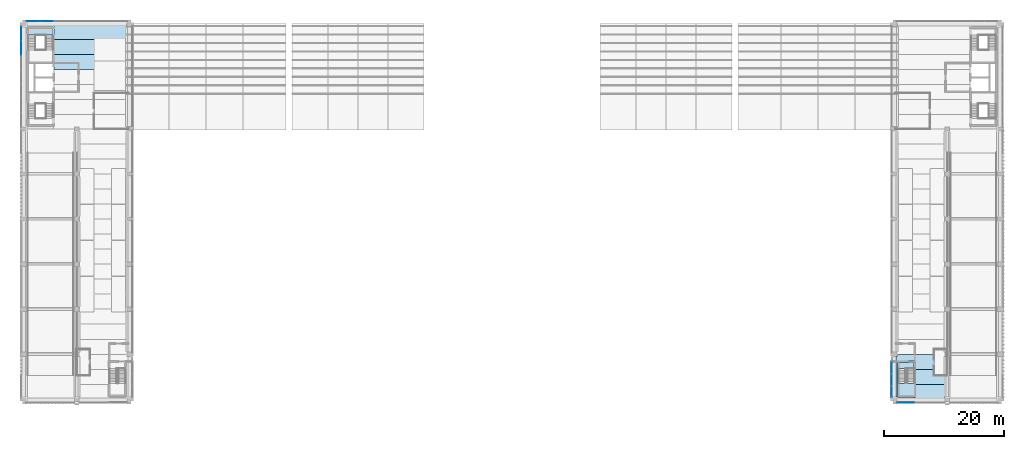
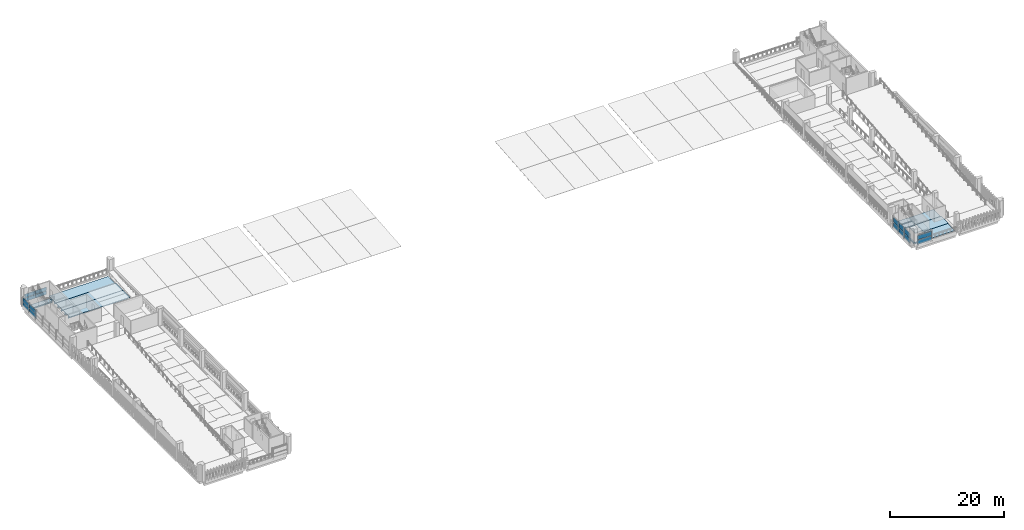
# One storey, part 10 of 24: 16 plates, 10 slabs, 5 elements without a shape of their own.
"""IFC4 building model written with IfcOpenShell, lengths in metres."""

import ifcopenshell
import ifcopenshell.guid

model = None  # the IFC model being written
_history = None  # IfcOwnerHistory: only IFC2X3 demands one
_inside = {}  # id of a spatial element -> (the spatial element, [elements in it])
_under = {}  # id of a project, library or spatial element -> (it, [spatial elements below it])
_declared = {}  # id of a project -> (the project, [libraries it declares])
_typed = {}  # id of a type object -> (the type object, [elements of that type])
_made_of = {}  # id of a material, layer set ... -> (it, [elements and type objects made of it])


def new_model(schema):
    """Start an empty IFC model of exactly this schema.

    Asked for "IFC4X3", IfcOpenShell would pick the latest addendum, in which some entities
    have other attributes; the version numbers below select the first issue.
    IFC2X3 requires an IfcOwnerHistory on every rooted entity: one is made here for all.
    """
    global model, _history
    if schema == "IFC4X3":
        model = ifcopenshell.file(schema_version=(4, 3, 0, 0))
    else:
        model = ifcopenshell.file(schema=schema)
    _inside.clear()
    _under.clear()
    _declared.clear()
    _typed.clear()
    _made_of.clear()
    _history = None
    if model.schema == "IFC2X3":
        org = make("IfcOrganization", Name="unknown")
        user = make(
            "IfcPersonAndOrganization",
            ThePerson=make("IfcPerson", FamilyName="unknown"),
            TheOrganization=org,
        )
        app = make(
            "IfcApplication",
            ApplicationDeveloper=org,
            Version="unknown",
            ApplicationFullName="unknown",
            ApplicationIdentifier="unknown",
        )
        _history = make(
            "IfcOwnerHistory",
            OwningUser=user,
            OwningApplication=app,
            ChangeAction="ADDED",
            CreationDate=0,
        )
    return model


def make(cls, **values):
    """One entity of the class cls with the attributes given. An attribute that is None is left unset."""
    return model.create_entity(
        cls, **{name: value for name, value in values.items() if value is not None}
    )


def rooted(cls, **values):
    """An entity with a GlobalId (a new one), such as an element, a storey or a relation."""
    return make(cls, GlobalId=ifcopenshell.guid.new(), OwnerHistory=_history, **values)


def si_unit(unit_type, name, prefix=None):
    """IfcSIUnit, for example si_unit("LENGTHUNIT", "METRE", prefix="MILLI")."""
    return make("IfcSIUnit", UnitType=unit_type, Prefix=prefix, Name=name)


def assignment(units):
    """IfcUnitAssignment: the units of a project."""
    return None if units is None else make("IfcUnitAssignment", Units=units)


def point(xyz):
    """IfcCartesianPoint."""
    return None if xyz is None else make("IfcCartesianPoint", Coordinates=xyz)


def direction(xyz):
    """IfcDirection."""
    return None if xyz is None else make("IfcDirection", DirectionRatios=xyz)


def frame(location, z_axis=None, x_axis=None):
    """IfcAxis2Placement3D, a coordinate frame: its origin and axes. An axis left out is left unset."""
    return make(
        "IfcAxis2Placement3D",
        Location=point(location),
        Axis=direction(z_axis),
        RefDirection=direction(x_axis),
    )


def frame_2d(location, x_axis=None):
    """IfcAxis2Placement2D, a coordinate frame in the plane: its origin and x axis."""
    return make(
        "IfcAxis2Placement2D", Location=point(location), RefDirection=direction(x_axis)
    )


def origin():
    """The frame at (0, 0, 0) with its axes left unset."""
    return frame((0.0, 0.0, 0.0))


def origin_2d():
    """The frame at (0, 0) in the plane with its x axis left unset."""
    return frame_2d((0.0, 0.0))


def place(relative_to, where):
    """IfcLocalPlacement: puts the frame where relative to a parent placement (None: the world)."""
    return make(
        "IfcLocalPlacement", PlacementRelTo=relative_to, RelativePlacement=where
    )


def context(
    kind, dimensions, precision=None, world=None, true_north=None, identifier=None
):
    """IfcGeometricRepresentationContext, for example the 3D "Model" context."""
    return make(
        "IfcGeometricRepresentationContext",
        ContextIdentifier=identifier,
        ContextType=kind,
        CoordinateSpaceDimension=dimensions,
        Precision=precision,
        WorldCoordinateSystem=world,
        TrueNorth=true_north,
    )


def subcontext(parent, identifier, kind, view, scale=None):
    """IfcGeometricRepresentationSubContext, for example "Body" below "Model"."""
    return make(
        "IfcGeometricRepresentationSubContext",
        ContextIdentifier=identifier,
        ContextType=kind,
        ParentContext=parent,
        TargetScale=scale,
        TargetView=view,
    )


def project(units=None, contexts=None):
    """IfcProject with its units and contexts."""
    return rooted(
        "IfcProject",
        Name="project",
        RepresentationContexts=contexts,
        UnitsInContext=assignment(units),
    )


def spatial(cls, under=None, at=None, **own):
    """A site, building, storey or space (cls), placed at a placement, below another one or the project."""
    s = rooted(cls, ObjectPlacement=at, **own)
    if under is not None:
        _under.setdefault(under.id(), (under, []))[1].append(s)
    return s


def polyline(points):
    """IfcPolyline through the points."""
    return make("IfcPolyline", Points=[point(p) for p in points])


def profile(cls, at=None, kind="AREA", **sizes):
    """A parametric profile (cls). Its sizes go by their IFC names, for example OverallWidth=200.0."""
    return make(cls, ProfileType=kind, Position=at, **sizes)


def rectangle(**sizes):
    """IfcRectangleProfileDef."""
    return profile("IfcRectangleProfileDef", **sizes)


def outline(outer, holes=None, kind="AREA"):
    """IfcArbitraryClosedProfileDef: a profile drawn as a closed curve; with holes, ...WithVoids."""
    if holes is None:
        return make("IfcArbitraryClosedProfileDef", ProfileType=kind, OuterCurve=outer)
    return make(
        "IfcArbitraryProfileDefWithVoids",
        ProfileType=kind,
        OuterCurve=outer,
        InnerCurves=holes,
    )


def extrude(swept, where, along, depth):
    """IfcExtrudedAreaSolid: the profile swept, set in the frame where, extruded along a direction by depth."""
    return make(
        "IfcExtrudedAreaSolid",
        SweptArea=swept,
        Position=where,
        ExtrudedDirection=direction(along),
        Depth=depth,
    )


def shape(context_of_items, identifier, shape_type, items):
    """IfcShapeRepresentation: the items that make up one representation, for example the "Body"."""
    return make(
        "IfcShapeRepresentation",
        ContextOfItems=context_of_items,
        RepresentationIdentifier=identifier,
        RepresentationType=shape_type,
        Items=items,
    )


def material(Name=None, Category=None):
    """IfcMaterial."""
    return make("IfcMaterial", Name=Name, Category=Category)


def layer(
    of_material, thickness, ventilated=None, Name=None, Category=None, Priority=None
):
    """IfcMaterialLayer: one layer of a wall or slab, of a material (None: an air gap)."""
    return make(
        "IfcMaterialLayer",
        Material=of_material,
        LayerThickness=thickness,
        IsVentilated=ventilated,
        Name=Name,
        Category=Category,
        Priority=Priority,
    )


def layer_set(layers, Name=None):
    """IfcMaterialLayerSet."""
    return make("IfcMaterialLayerSet", MaterialLayers=layers, LayerSetName=Name)


def material_profile(
    of_material, cross_section, Name=None, Category=None, Priority=None
):
    """IfcMaterialProfile: a cross section and its material."""
    return make(
        "IfcMaterialProfile",
        Name=Name,
        Material=of_material,
        Profile=cross_section,
        Priority=Priority,
        Category=Category,
    )


def profile_set(profiles, Name=None, composite=None):
    """IfcMaterialProfileSet."""
    return make(
        "IfcMaterialProfileSet",
        Name=Name,
        MaterialProfiles=profiles,
        CompositeProfile=composite,
    )


def made_of(thing, what):
    """Note that an element or type object is made of a material, layer set ...; save() writes the relation."""
    if what is not None:
        _made_of.setdefault(what.id(), (what, []))[1].append(thing)
    return thing


def type_object(cls, material=None, **own):
    """A type object (cls), such as IfcWallType, which elements share."""
    return made_of(rooted(cls, **own), material)


def element(
    cls,
    number,
    at=None,
    inside=None,
    cuts=None,
    type_object=None,
    material=None,
    context=None,
    identifier="Body",
    shape_type=None,
    held_by="IfcProductDefinitionShape",
    body=None,
    shapes=None,
    **own,
):
    """One element of the class cls, such as IfcWall. Its Tag is "e" and its number.

    at: its placement. inside: the storey or other place that contains it. cuts: it is an
    opening in that element (IfcRelVoidsElement). A single representation is given by context,
    identifier, shape_type and body (its items); several are given by shapes. held_by: the class
    of the entity that holds the representations. save() writes the other relations.
    """
    e = rooted(cls, Tag="e%d" % number, ObjectPlacement=at, **own)
    if body is not None:
        shapes = [shape(context, identifier, shape_type, body)]
    if shapes is not None:
        e.Representation = make(held_by, Representations=shapes)
    if inside is not None:
        _inside.setdefault(inside.id(), (inside, []))[1].append(e)
    if cuts is not None:
        rooted(
            "IfcRelVoidsElement", RelatingBuildingElement=cuts, RelatedOpeningElement=e
        )
    if type_object is not None:
        _typed.setdefault(type_object.id(), (type_object, []))[1].append(e)
    return made_of(e, material)


def aggregate(whole, parts):
    """IfcRelAggregates: a whole, such as a stair, and the parts it consists of."""
    return rooted("IfcRelAggregates", RelatingObject=whole, RelatedObjects=parts)


def save(model, path):
    """Write the relations noted so far, then the file.

    IfcRelAggregates (storeys below a building ...), IfcRelContainedInSpatialStructure (elements
    in a storey), IfcRelDefinesByType, IfcRelAssociatesMaterial and IfcRelDeclares: one each for
    every whole, place, type object, material and project.
    """
    for whole, parts in _under.values():
        aggregate(whole, parts)
    for where, things in _inside.values():
        rooted(
            "IfcRelContainedInSpatialStructure",
            RelatedElements=things,
            RelatingStructure=where,
        )
    for kind, things in _typed.values():
        rooted("IfcRelDefinesByType", RelatedObjects=things, RelatingType=kind)
    for what, things in _made_of.values():
        rooted("IfcRelAssociatesMaterial", RelatedObjects=things, RelatingMaterial=what)
    for by, libraries in _declared.values():
        rooted("IfcRelDeclares", RelatingContext=by, RelatedDefinitions=libraries)
    model.write(path)


model = new_model("IFC4")

# Units and contexts
model_context = context("Model", 3, precision=1e-05, world=origin(), true_north=direction((0.0, 1.0)))
body_context = subcontext(model_context, "Body", "Model", "MODEL_VIEW")
ifc_project = project(units=[si_unit("LENGTHUNIT", "METRE"), si_unit("AREAUNIT", "SQUARE_METRE"), si_unit("VOLUMEUNIT", "CUBIC_METRE"), si_unit("PLANEANGLEUNIT", "RADIAN"), si_unit("MASSUNIT", "GRAM", prefix="KILO")], contexts=[model_context])

# Site, building, storey
site_placement = place(None, origin())
site = spatial("IfcSite", under=ifc_project, at=site_placement, CompositionType="ELEMENT")
building_placement = place(site_placement, origin())
building = spatial("IfcBuilding", under=site, at=building_placement, Name="Cour d'Honneur Mobility Palace", CompositionType="ELEMENT")
storey_placement = place(building_placement, frame((0.0, 0.0, 26.699951171875)))
storey = spatial("IfcBuildingStorey", under=building, at=storey_placement, Name="L07", CompositionType="ELEMENT", Elevation=26.699951171875)

# Slabs
ifc_material_1 = material(Name="Concrete C50", Category="concrete")
ifc_layer_1 = layer(ifc_material_1, 0.25)
ifc_layer_set_1 = layer_set([ifc_layer_1], Name="Concrete C50")
slab_type_1 = type_object("IfcSlabType", Name="Cast-in-place Slab 250", PredefinedType="FLOOR", material=ifc_layer_set_1)
slab_1_placement = place(storey_placement, frame((0.0, 0.0, -0.25)))
element("IfcSlab", 1, at=slab_1_placement, inside=storey, type_object=slab_type_1, Name="Cast-in-place slab S1 L07 core", PredefinedType="FLOOR", context=body_context, shape_type="SweptSolid", body=[
    extrude(outline(polyline([(4.675048828125, 61.699951171875), (4.675048828125, 60.625), (0.699951171875, 60.625), (0.699951171875, 61.699951171875), (4.675048828125, 61.699951171875)])), origin(), (0.0, 0.0, 1.0), 0.25),
])
slab_2_placement = place(storey_placement, frame((0.0, 0.0, -0.25)))
element("IfcSlab", 2, at=slab_2_placement, inside=storey, type_object=slab_type_1, Name="Cast-in-place slab S1 L07 stair strip", PredefinedType="FLOOR", context=body_context, shape_type="SweptSolid", body=[
    extrude(outline(polyline([(145.300048828125, 0.39990234375), (145.10009765625, 0.39990234375), (145.10009765625, 7.10009765625), (145.300048828125, 7.10009765625), (145.300048828125, 7.5), (148.199951171875, 7.5), (148.199951171875, 6.425048828125), (145.35009765625, 6.425048828125), (145.35009765625, 0.449951171875), (148.199951171875, 0.449951171875), (148.199951171875, 0.22509765625), (145.300048828125, 0.22509765625), (145.300048828125, 0.39990234375)])), origin(), (0.0, 0.0, 1.0), 0.25),
])
slab_3_placement = place(storey_placement, frame((0.0, 0.0, -0.25)))
element("IfcSlab", 3, at=slab_3_placement, inside=storey, type_object=slab_type_1, Name="Cast-in-place slab S1 L07 stair strip", PredefinedType="FLOOR", context=body_context, shape_type="SweptSolid", body=[
    extrude(outline(polyline([(148.074951171875, 6.175048828125), (148.074951171875, 5.10009765625), (145.60009765625, 5.10009765625), (145.60009765625, 6.175048828125), (148.074951171875, 6.175048828125)])), origin(), (0.0, 0.0, 1.0), 0.25),
])

# Curtain wall, plates
ifc_material_2 = material(Name="Aluminium and glass", Category="aluminium")
ifc_layer_2 = layer(ifc_material_2, 0.10009765625)
ifc_layer_set_2 = layer_set([ifc_layer_2], Name="Aluminium and glass")
curtain_wall_type = type_object("IfcCurtainWallType", Name="Curtain wall run", PredefinedType="NOTDEFINED", material=ifc_layer_set_2)
curtain_wall_1_placement = place(storey_placement, origin())
curtain_wall_1 = element("IfcCurtainWall", 4, at=curtain_wall_1_placement, inside=storey, type_object=curtain_wall_type, Name="Curtain wall CW-108", PredefinedType="NOTDEFINED")
ifc_material_3 = material(Name="Double glazing", Category="glass")
ifc_layer_3 = layer(ifc_material_3, 0.028076171875)
ifc_layer_set_3 = layer_set([ifc_layer_3], Name="Double glazing")
plate_type = type_object("IfcPlateType", Name="Curtain wall panel", PredefinedType="CURTAIN_PANEL", material=ifc_layer_set_3)
plate_1_placement = place(storey_placement, frame((3.659912109375, 62.949951171875, 0.06005859375), z_axis=(0.0, 0.0, 1.0), x_axis=(-1.0, 0.0, 0.0)))
plate_1 = element("IfcPlate", 5, at=plate_1_placement, type_object=plate_type, Name="CW-108 panel 1.1", PredefinedType="CURTAIN_PANEL", context=body_context, shape_type="SweptSolid", body=[
    extrude(rectangle(XDim=2.159912109375, YDim=0.028076171875, at=origin_2d()), origin(), (0.0, 0.0, 1.0), 0.760009765625),
])
plate_2_placement = place(storey_placement, frame((3.659912109375, 62.949951171875, 0.8798828125), z_axis=(0.0, 0.0, 1.0), x_axis=(-1.0, 0.0, 0.0)))
plate_2 = element("IfcPlate", 6, at=plate_2_placement, type_object=plate_type, Name="CW-108 panel 1.2", PredefinedType="CURTAIN_PANEL", context=body_context, shape_type="SweptSolid", body=[
    extrude(rectangle(XDim=2.159912109375, YDim=0.028076171875, at=origin_2d()), origin(), (0.0, 0.0, 1.0), 0.760009765625),
])
plate_3_placement = place(storey_placement, frame((1.43994140625, 62.949951171875, 0.06005859375), z_axis=(0.0, 0.0, 1.0), x_axis=(-1.0, 0.0, 0.0)))
plate_3 = element("IfcPlate", 7, at=plate_3_placement, type_object=plate_type, Name="CW-108 panel 2.1", PredefinedType="CURTAIN_PANEL", context=body_context, shape_type="SweptSolid", body=[
    extrude(rectangle(XDim=2.159912109375, YDim=0.028076171875, at=origin_2d()), origin(), (0.0, 0.0, 1.0), 0.760009765625),
])
plate_4_placement = place(storey_placement, frame((1.43994140625, 62.949951171875, 0.8798828125), z_axis=(0.0, 0.0, 1.0), x_axis=(-1.0, 0.0, 0.0)))
plate_4 = element("IfcPlate", 8, at=plate_4_placement, type_object=plate_type, Name="CW-108 panel 2.2", PredefinedType="CURTAIN_PANEL", context=body_context, shape_type="SweptSolid", body=[
    extrude(rectangle(XDim=2.159912109375, YDim=0.028076171875, at=origin_2d()), origin(), (0.0, 0.0, 1.0), 0.760009765625),
])
aggregate(curtain_wall_1, [plate_1, plate_2, plate_3, plate_4])

curtain_wall_2_placement = place(storey_placement, origin())
curtain_wall_2 = element("IfcCurtainWall", 9, at=curtain_wall_2_placement, inside=storey, type_object=curtain_wall_type, Name="Curtain wall CW-109", PredefinedType="NOTDEFINED")
plate_5_placement = place(storey_placement, frame((-0.550048828125, 60.885009765625, 0.06005859375), z_axis=(0.0, 0.0, 1.0), x_axis=(0.0, -1.0, 0.0)))
plate_5 = element("IfcPlate", 10, at=plate_5_placement, type_object=plate_type, Name="CW-109 panel 1.1", PredefinedType="CURTAIN_PANEL", context=body_context, shape_type="SweptSolid", body=[
    extrude(rectangle(XDim=2.31005859375, YDim=0.028076171875, at=origin_2d()), origin(), (0.0, 0.0, 1.0), 0.860107421875),
])
plate_6_placement = place(storey_placement, frame((-0.550048828125, 60.885009765625, 0.97998046875), z_axis=(0.0, 0.0, 1.0), x_axis=(0.0, -1.0, 0.0)))
plate_6 = element("IfcPlate", 11, at=plate_6_placement, type_object=plate_type, Name="CW-109 panel 1.2", PredefinedType="CURTAIN_PANEL", context=body_context, shape_type="SweptSolid", body=[
    extrude(rectangle(XDim=2.31005859375, YDim=0.028076171875, at=origin_2d()), origin(), (0.0, 0.0, 1.0), 0.860107421875),
])
plate_7_placement = place(storey_placement, frame((-0.550048828125, 58.5, 0.06005859375), z_axis=(0.0, 0.0, 1.0), x_axis=(0.0, -1.0, 0.0)))
plate_7 = element("IfcPlate", 12, at=plate_7_placement, type_object=plate_type, Name="CW-109 panel 2.1", PredefinedType="CURTAIN_PANEL", context=body_context, shape_type="SweptSolid", body=[
    extrude(rectangle(XDim=2.340087890625, YDim=0.028076171875, at=origin_2d()), origin(), (0.0, 0.0, 1.0), 0.860107421875),
])
plate_8_placement = place(storey_placement, frame((-0.550048828125, 58.5, 0.97998046875), z_axis=(0.0, 0.0, 1.0), x_axis=(0.0, -1.0, 0.0)))
plate_8 = element("IfcPlate", 13, at=plate_8_placement, type_object=plate_type, Name="CW-109 panel 2.2", PredefinedType="CURTAIN_PANEL", context=body_context, shape_type="SweptSolid", body=[
    extrude(rectangle(XDim=2.340087890625, YDim=0.028076171875, at=origin_2d()), origin(), (0.0, 0.0, 1.0), 0.860107421875),
])
aggregate(curtain_wall_2, [plate_5, plate_6, plate_7, plate_8])

curtain_wall_3_placement = place(storey_placement, origin())
curtain_wall_3 = element("IfcCurtainWall", 14, at=curtain_wall_3_placement, inside=storey, type_object=curtain_wall_type, Name="Curtain wall CW-147", PredefinedType="NOTDEFINED")
plate_9_placement = place(storey_placement, frame((146.699951171875, -0.550048828125, 0.06005859375), z_axis=(0.0, 0.0, 1.0), x_axis=(1.0, 0.0, 0.0)))
plate_9 = element("IfcPlate", 15, at=plate_9_placement, type_object=plate_type, Name="CW-147 panel 1.1", PredefinedType="CURTAIN_PANEL", context=body_context, shape_type="SweptSolid", body=[
    extrude(rectangle(XDim=2.8798828125, YDim=0.028076171875, at=origin_2d()), origin(), (0.0, 0.0, 1.0), 0.9599609375),
])
plate_10_placement = place(storey_placement, frame((146.699951171875, -0.550048828125, 1.080078125), z_axis=(0.0, 0.0, 1.0), x_axis=(1.0, 0.0, 0.0)))
plate_10 = element("IfcPlate", 16, at=plate_10_placement, type_object=plate_type, Name="CW-147 panel 1.2", PredefinedType="CURTAIN_PANEL", context=body_context, shape_type="SweptSolid", body=[
    extrude(rectangle(XDim=2.8798828125, YDim=0.028076171875, at=origin_2d()), origin(), (0.0, 0.0, 1.0), 0.9599609375),
])
aggregate(curtain_wall_3, [plate_9, plate_10])

curtain_wall_4_placement = place(storey_placement, origin())
curtain_wall_4 = element("IfcCurtainWall", 17, at=curtain_wall_4_placement, inside=storey, type_object=curtain_wall_type, Name="Curtain wall CW-148", PredefinedType="NOTDEFINED")
plate_11_placement = place(storey_placement, frame((144.35009765625, 5.284912109375, 0.06005859375), z_axis=(0.0, 0.0, 1.0), x_axis=(0.0, -1.0, 0.0)))
plate_11 = element("IfcPlate", 18, at=plate_11_placement, type_object=plate_type, Name="CW-148 panel 1.1", PredefinedType="CURTAIN_PANEL", context=body_context, shape_type="SweptSolid", body=[
    extrude(rectangle(XDim=1.909912109375, YDim=0.028076171875, at=origin_2d()), origin(), (0.0, 0.0, 1.0), 1.06005859375),
])
plate_12_placement = place(storey_placement, frame((144.35009765625, 5.284912109375, 1.179931640625), z_axis=(0.0, 0.0, 1.0), x_axis=(0.0, -1.0, 0.0)))
plate_12 = element("IfcPlate", 19, at=plate_12_placement, type_object=plate_type, Name="CW-148 panel 1.2", PredefinedType="CURTAIN_PANEL", context=body_context, shape_type="SweptSolid", body=[
    extrude(rectangle(XDim=1.909912109375, YDim=0.028076171875, at=origin_2d()), origin(), (0.0, 0.0, 1.0), 1.06005859375),
])
plate_13_placement = place(storey_placement, frame((144.35009765625, 3.300048828125, 0.06005859375), z_axis=(0.0, 0.0, 1.0), x_axis=(0.0, -1.0, 0.0)))
plate_13 = element("IfcPlate", 20, at=plate_13_placement, type_object=plate_type, Name="CW-148 panel 2.1", PredefinedType="CURTAIN_PANEL", context=body_context, shape_type="SweptSolid", body=[
    extrude(rectangle(XDim=1.93994140625, YDim=0.028076171875, at=origin_2d()), origin(), (0.0, 0.0, 1.0), 1.06005859375),
])
plate_14_placement = place(storey_placement, frame((144.35009765625, 3.300048828125, 1.179931640625), z_axis=(0.0, 0.0, 1.0), x_axis=(0.0, -1.0, 0.0)))
plate_14 = element("IfcPlate", 21, at=plate_14_placement, type_object=plate_type, Name="CW-148 panel 2.2", PredefinedType="CURTAIN_PANEL", context=body_context, shape_type="SweptSolid", body=[
    extrude(rectangle(XDim=1.93994140625, YDim=0.028076171875, at=origin_2d()), origin(), (0.0, 0.0, 1.0), 1.06005859375),
])
plate_15_placement = place(storey_placement, frame((144.35009765625, 1.31494140625, 0.06005859375), z_axis=(0.0, 0.0, 1.0), x_axis=(0.0, -1.0, 0.0)))
plate_15 = element("IfcPlate", 22, at=plate_15_placement, type_object=plate_type, Name="CW-148 panel 3.1", PredefinedType="CURTAIN_PANEL", context=body_context, shape_type="SweptSolid", body=[
    extrude(rectangle(XDim=1.909912109375, YDim=0.028076171875, at=origin_2d()), origin(), (0.0, 0.0, 1.0), 1.06005859375),
])
plate_16_placement = place(storey_placement, frame((144.35009765625, 1.31494140625, 1.179931640625), z_axis=(0.0, 0.0, 1.0), x_axis=(0.0, -1.0, 0.0)))
plate_16 = element("IfcPlate", 23, at=plate_16_placement, type_object=plate_type, Name="CW-148 panel 3.2", PredefinedType="CURTAIN_PANEL", context=body_context, shape_type="SweptSolid", body=[
    extrude(rectangle(XDim=1.909912109375, YDim=0.028076171875, at=origin_2d()), origin(), (0.0, 0.0, 1.0), 1.06005859375),
])
aggregate(curtain_wall_4, [plate_11, plate_12, plate_13, plate_14, plate_15, plate_16])

# Slabs
ifc_material_4 = material(Name="Concrete C45", Category="concrete")
ifc_material_profile_1 = material_profile(ifc_material_4, outline(polyline([(-1.2451171875, 0.0), (1.2451171875, 0.0), (1.2451171875, -0.074951171875), (0.659912109375, -0.074951171875), (0.639892578125, -0.39990234375), (0.56005859375, -0.39990234375), (0.5400390625, -0.074951171875), (-0.5400390625, -0.074951171875), (-0.56005859375, -0.39990234375), (-0.639892578125, -0.39990234375), (-0.659912109375, -0.074951171875), (-1.2451171875, -0.074951171875), (-1.2451171875, 0.0)])), Name="DT 2490x400")
ifc_profile_set_1 = profile_set([ifc_material_profile_1], Name="Concrete C45")
slab_type_2 = type_object("IfcSlabType", Name="DT 2490x400", PredefinedType="FLOOR", material=ifc_profile_set_1)
slab_4_placement = place(storey_placement, frame((148.324951171875, 1.25, 0.0), z_axis=(1.0, 0.0, 0.0), x_axis=(0.0, 1.0, 0.0)))
element("IfcSlab", 24, at=slab_4_placement, inside=storey, type_object=slab_type_2, Name="Double tee DT-SE1 L07", PredefinedType="FLOOR", context=body_context, shape_type="SweptSolid", body=[
    extrude(outline(polyline([(-1.2451171875, 0.0), (1.2451171875, 0.0), (1.2451171875, -0.074951171875), (0.659912109375, -0.074951171875), (0.639892578125, -0.39990234375), (0.56005859375, -0.39990234375), (0.5400390625, -0.074951171875), (-0.5400390625, -0.074951171875), (-0.56005859375, -0.39990234375), (-0.639892578125, -0.39990234375), (-0.659912109375, -0.074951171875), (-1.2451171875, -0.074951171875), (-1.2451171875, 0.0)])), origin(), (0.0, 0.0, 1.0), 4.875),
])
slab_5_placement = place(storey_placement, frame((148.324951171875, 3.75, 0.0), z_axis=(1.0, 0.0, 0.0), x_axis=(0.0, 1.0, 0.0)))
element("IfcSlab", 25, at=slab_5_placement, inside=storey, type_object=slab_type_2, Name="Double tee DT-SE2 L07", PredefinedType="FLOOR", context=body_context, shape_type="SweptSolid", body=[
    extrude(outline(polyline([(-1.2451171875, 0.0), (1.2451171875, 0.0), (1.2451171875, -0.074951171875), (0.659912109375, -0.074951171875), (0.639892578125, -0.39990234375), (0.56005859375, -0.39990234375), (0.5400390625, -0.074951171875), (-0.5400390625, -0.074951171875), (-0.56005859375, -0.39990234375), (-0.639892578125, -0.39990234375), (-0.659912109375, -0.074951171875), (-1.2451171875, -0.074951171875), (-1.2451171875, 0.0)])), origin(), (0.0, 0.0, 1.0), 5.074951171875),
])
slab_6_placement = place(storey_placement, frame((148.199951171875, 6.25, 0.0), z_axis=(1.0, 0.0, 0.0), x_axis=(0.0, 1.0, 0.0)))
element("IfcSlab", 26, at=slab_6_placement, inside=storey, type_object=slab_type_2, Name="Double tee DT-SE3 L07", PredefinedType="FLOOR", context=body_context, shape_type="SweptSolid", body=[
    extrude(outline(polyline([(-1.2451171875, 0.0), (1.2451171875, 0.0), (1.2451171875, -0.074951171875), (0.659912109375, -0.074951171875), (0.639892578125, -0.39990234375), (0.56005859375, -0.39990234375), (0.5400390625, -0.074951171875), (-0.5400390625, -0.074951171875), (-0.56005859375, -0.39990234375), (-0.639892578125, -0.39990234375), (-0.659912109375, -0.074951171875), (-1.2451171875, -0.074951171875), (-1.2451171875, 0.0)])), origin(), (0.0, 0.0, 1.0), 5.0),
])
ifc_material_5 = material(Name="Concrete C45", Category="concrete")
ifc_material_profile_2 = material_profile(ifc_material_5, outline(polyline([(-1.2451171875, 0.0), (1.2451171875, 0.0), (1.2451171875, -0.10009765625), (0.679931640625, -0.10009765625), (0.64990234375, -0.64990234375), (0.550048828125, -0.64990234375), (0.52001953125, -0.10009765625), (-0.52001953125, -0.10009765625), (-0.550048828125, -0.64990234375), (-0.64990234375, -0.64990234375), (-0.679931640625, -0.10009765625), (-1.2451171875, -0.10009765625), (-1.2451171875, 0.0)])), Name="DT 2490x650")
ifc_profile_set_2 = profile_set([ifc_material_profile_2], Name="Concrete C45")
slab_type_3 = type_object("IfcSlabType", Name="DT 2490x650", PredefinedType="FLOOR", material=ifc_profile_set_2)
for number, where, z_axis, x_axis, name in (
    (27, (4.925048828125, 56.14990234375, 0.0), (1.0, 0.0, 0.0), (0.0, 1.0, 0.0), "Double tee DT-JW4 L07"),
    (28, (4.925048828125, 58.64990234375, 0.0), (1.0, 0.0, 0.0), (0.0, 1.0, 0.0), "Double tee DT-JW5 L07"),
):
    element("IfcSlab", number, at=place(storey_placement, frame(where, z_axis=z_axis, x_axis=x_axis)), inside=storey, type_object=slab_type_3, Name=name, PredefinedType="FLOOR", context=body_context, shape_type="SweptSolid", body=[
        extrude(outline(polyline([(-1.2451171875, 0.0), (1.2451171875, 0.0), (1.2451171875, -0.10009765625), (0.679931640625, -0.10009765625), (0.64990234375, -0.64990234375), (0.550048828125, -0.64990234375), (0.52001953125, -0.10009765625), (-0.52001953125, -0.10009765625), (-0.550048828125, -0.64990234375), (-0.64990234375, -0.64990234375), (-0.679931640625, -0.10009765625), (-1.2451171875, -0.10009765625), (-1.2451171875, 0.0)])), origin(), (0.0, 0.0, 1.0), 12.224853515625),
    ])
slab_7_placement = place(storey_placement, frame((4.925048828125, 61.14990234375, 0.0), z_axis=(1.0, 0.0, 0.0), x_axis=(0.0, 1.0, 0.0)))
element("IfcSlab", 29, at=slab_7_placement, inside=storey, type_object=slab_type_3, Name="Double tee DT-JW6 L07", PredefinedType="FLOOR", context=body_context, shape_type="SweptSolid", body=[
    extrude(outline(polyline([(-1.2451171875, 0.0), (1.2451171875, 0.0), (1.2451171875, -0.10009765625), (0.679931640625, -0.10009765625), (0.64990234375, -0.64990234375), (0.550048828125, -0.64990234375), (0.52001953125, -0.10009765625), (-0.52001953125, -0.10009765625), (-0.550048828125, -0.64990234375), (-0.64990234375, -0.64990234375), (-0.679931640625, -0.10009765625), (-1.2451171875, -0.10009765625), (-1.2451171875, 0.0)])), origin(), (0.0, 0.0, 1.0), 12.074951171875),
])

# Stair, slab
ifc_material_6 = material(Name="Concrete C50", Category="concrete")
stair_type = type_object("IfcStairType", Name="Stair 20 risers", PredefinedType="HALF_TURN_STAIR", material=ifc_material_6)
stair_placement = place(storey_placement, origin())
stair = element("IfcStair", 30, at=stair_placement, inside=storey, type_object=stair_type, Name="Stair ST-RE1", PredefinedType="HALF_TURN_STAIR")
ifc_material_7 = material(Name="Concrete C50", Category="concrete")
ifc_layer_4 = layer(ifc_material_7, 0.199951171875)
ifc_layer_set_4 = layer_set([ifc_layer_4], Name="Concrete C50")
slab_type_4 = type_object("IfcSlabType", Name="Stair landing", PredefinedType="LANDING", material=ifc_layer_set_4)
slab_8_placement = place(storey_placement, frame((0.0, 0.0, 1.650146484375)))
slab_8 = element("IfcSlab", 31, at=slab_8_placement, type_object=slab_type_4, Name="ST-RE1 landing 1", PredefinedType="LANDING", context=body_context, shape_type="SweptSolid", body=[
    extrude(outline(polyline([(145.47509765625, 0.574951171875), (148.199951171875, 0.574951171875), (148.199951171875, 2.669921875), (145.47509765625, 2.669921875), (145.47509765625, 0.574951171875)])), origin(), (0.0, 0.0, 1.0), 0.199951171875),
])
aggregate(stair, [slab_8])

save(model, "model.ifc")
